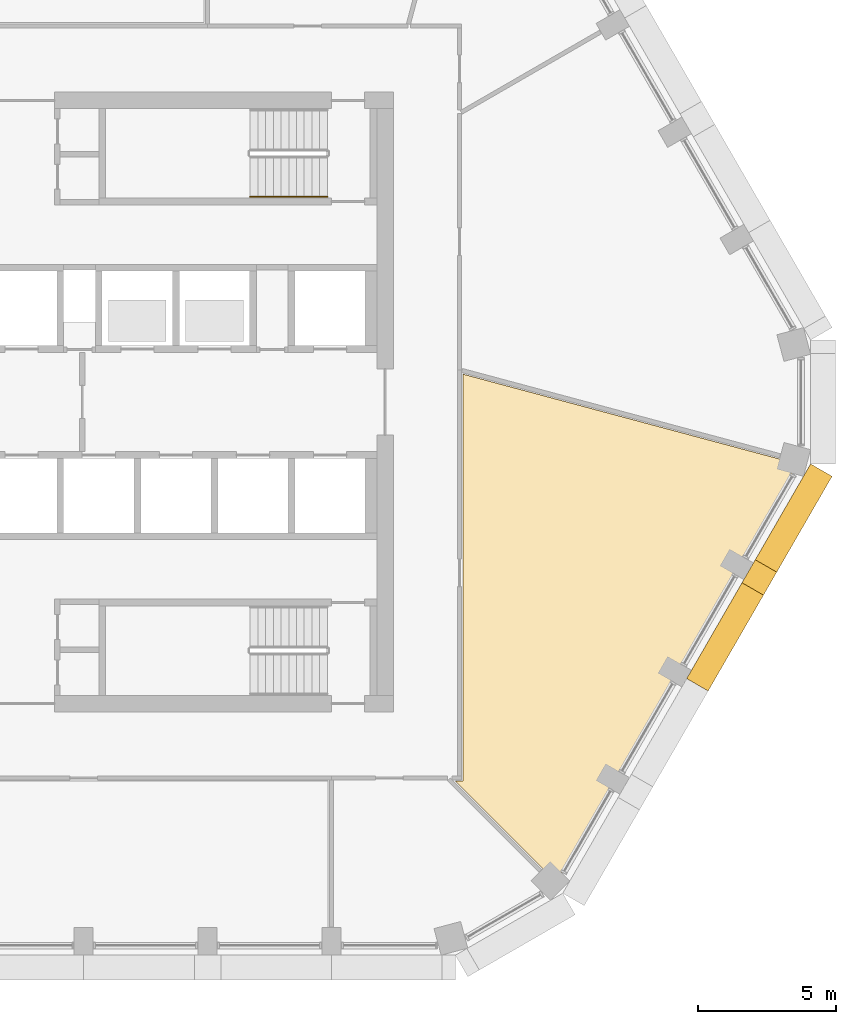
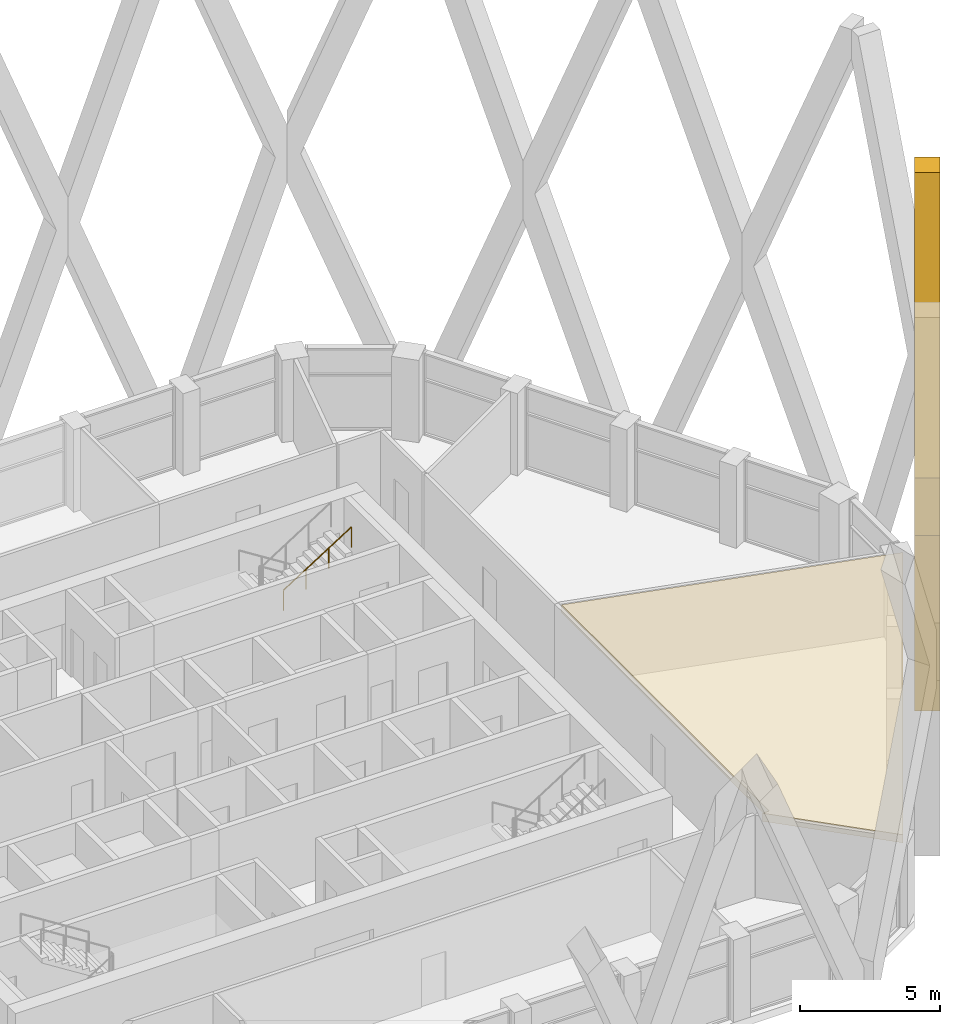
# One storey, part 17 of 20: 2 coverings, 1 railing.
"""IFC4 building model written with IfcOpenShell, lengths in metres."""

from ifc_helpers import new_model, si_unit, direction, frame, origin, origin_2d, place, context, subcontext, project, spatial, polyline, circle, outline, extrude, material, layer, layer_set, type_object, element, save


model = new_model("IFC4")

# Units and contexts
model_context = context("Model", 3, precision=1e-05, world=origin(), true_north=direction((0.0, 1.0)))
body_context = subcontext(model_context, "Body", "Model", "MODEL_VIEW")
ifc_project = project(units=[si_unit("LENGTHUNIT", "METRE"), si_unit("AREAUNIT", "SQUARE_METRE"), si_unit("VOLUMEUNIT", "CUBIC_METRE"), si_unit("PLANEANGLEUNIT", "RADIAN"), si_unit("MASSUNIT", "GRAM", prefix="KILO")], contexts=[model_context])

# Site, building, storey
site_placement = place(None, origin())
site = spatial("IfcSite", under=ifc_project, at=site_placement, CompositionType="ELEMENT")
building_placement = place(site_placement, origin())
building = spatial("IfcBuilding", under=site, at=building_placement, Name="Dhurran Vertical Campus", CompositionType="ELEMENT")
storey_placement = place(building_placement, frame((0.0, 0.0, 235.199951171875)))
storey = spatial("IfcBuildingStorey", under=building, at=storey_placement, Name="L58", CompositionType="ELEMENT", Elevation=235.199951171875)

# Covering
ifc_material_1 = material(Name="Precast concrete C50/60", Category="concrete")
covering_type_1 = type_object("IfcCoveringType", Name="Folded precast fin lattice diamond", PredefinedType="USERDEFINED", material=ifc_material_1)
covering_1_placement = place(storey_placement, frame((24.147216796875, -10.044189453125, 0.0), z_axis=(0.866013897511, -0.50001992892, 0.0), x_axis=(0.50001992892, 0.866013897511, 0.0)))
element("IfcCovering", 1, at=covering_1_placement, inside=storey, type_object=covering_type_1, Name="FN1 L58.007", ObjectType="FIN", PredefinedType="USERDEFINED", context=body_context, shape_type="SweptSolid", body=[
    extrude(outline(polyline([(9.0, 12.95361328125), (9.0, 10.4462890625), (4.982177734375, 0.0), (4.017822265625, 0.0), (0.0, 10.4462890625), (0.0, 12.95361328125), (4.017822265625, 23.39990234375), (4.982177734375, 23.39990234375), (9.0, 12.95361328125)]), holes=[polyline([(8.517822265625, 11.699951171875), (4.5, 22.146484375), (0.482177734375, 11.699951171875), (4.5, 1.253662109375), (8.517822265625, 11.699951171875)])]), origin(), (0.0, 0.0, 1.0), 0.89990234375),
])

# Railing
ifc_material_2 = material(Name="Stainless steel handrail", Category="steel")
railing_type = type_object("IfcRailingType", Name="co-RL-HANDRAIL-900", PredefinedType="HANDRAIL", material=ifc_material_2)
railing_placement = place(storey_placement, frame((8.300048828125, 7.449951171875, 2.12744140625)))
element("IfcRailing", 2, at=railing_placement, inside=storey, type_object=railing_type, Name="L58 ST2 stair handrail 2", PredefinedType="HANDRAIL", context=body_context, shape_type="SweptSolid", body=[
    extrude(circle(Radius=0.02392578125, at=origin_2d()), frame((0.0, 0.0, 0.8759765625), z_axis=(0.844908973607, 0.0, 0.534910110503), x_axis=(0.0, 1.0, 0.0)), (0.0, 0.0, 1.0), 3.31396484375),
    extrude(circle(Radius=0.02099609375, at=origin_2d()), origin(), (0.0, 0.0, 1.0), 0.851806640625),
    extrude(circle(Radius=0.02099609375, at=origin_2d()), frame((0.933349609375, 0.0, 0.5908203125)), (0.0, 0.0, 1.0), 0.851806640625),
    extrude(circle(Radius=0.02099609375, at=origin_2d()), frame((1.86669921875, 0.0, 1.181884765625)), (0.0, 0.0, 1.0), 0.851806640625),
    extrude(circle(Radius=0.02099609375, at=origin_2d()), frame((2.800048828125, 0.0, 1.772705078125)), (0.0, 0.0, 1.0), 0.851806640625),
])

# Covering
ifc_material_3 = material(Name="Mineral fibre ceiling tiles on suspended grid")
ifc_layer = layer(ifc_material_3, 0.35009765625)
ifc_layer_set = layer_set([ifc_layer], Name="Mineral fibre ceiling tiles on suspended grid")
covering_type_2 = type_object("IfcCoveringType", Name="fl-CE-350 suspended ceiling", PredefinedType="CEILING", material=ifc_layer_set)
covering_2_placement = place(storey_placement, frame((0.0, 0.0, 3.22509765625)))
element("IfcCovering", 3, at=covering_2_placement, inside=storey, type_object=covering_type_2, Name="Ceiling 58-14", PredefinedType="CEILING", context=body_context, shape_type="SweptSolid", body=[
    extrude(outline(polyline([(28.1650390625, -2.2451171875), (19.40087890625, -17.424072265625), (15.7490234375, -13.77001953125), (16.02001953125, -13.77001953125), (16.02001953125, 1.010009765625), (28.1650390625, -2.2451171875)])), origin(), (0.0, 0.0, 1.0), 0.349853515625),
])

save(model, "model.ifc")
